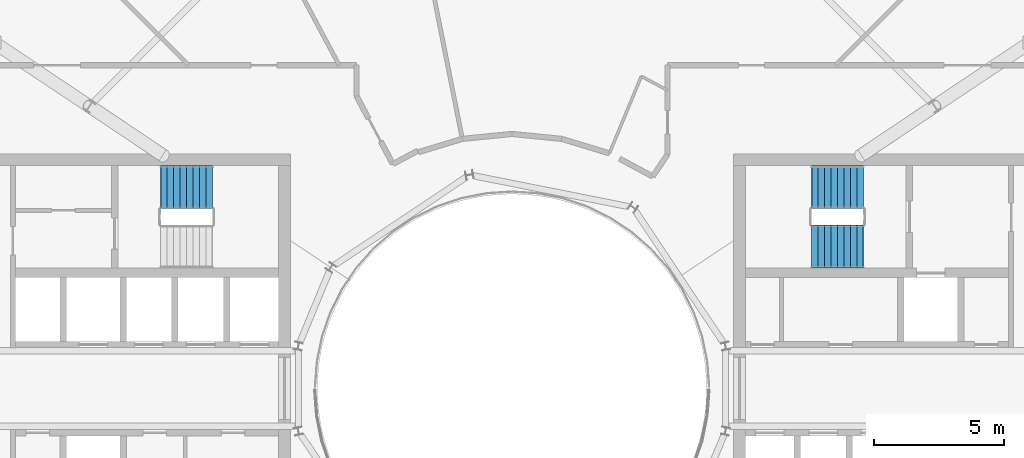
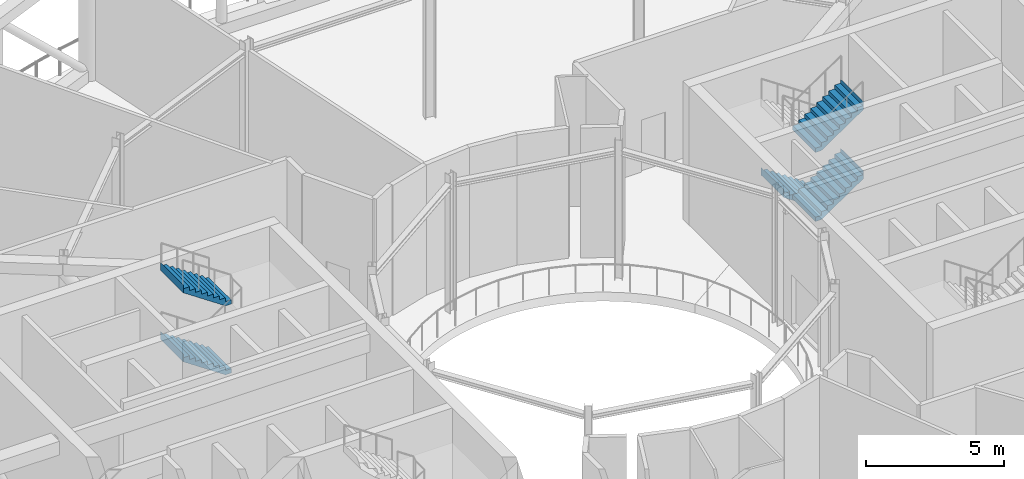
# One storey, part 18 of 24: 5 stair flights, 2 elements without a shape of their own.
"""IFC4 building model written with IfcOpenShell, lengths in metres."""

from ifc_helpers import new_model, si_unit, direction, frame, origin, place, context, subcontext, project, spatial, triangles, material, type_object, element, aggregate, save


model = new_model("IFC4")

# Units and contexts
model_context = context("Model", 3, precision=1e-05, world=origin(), true_north=direction((0.0, 1.0)))
body_context = subcontext(model_context, "Body", "Model", "MODEL_VIEW")
ifc_project = project(units=[si_unit("LENGTHUNIT", "METRE"), si_unit("AREAUNIT", "SQUARE_METRE"), si_unit("VOLUMEUNIT", "CUBIC_METRE"), si_unit("PLANEANGLEUNIT", "RADIAN"), si_unit("MASSUNIT", "GRAM", prefix="KILO")], contexts=[model_context])

# Site, building, storey
site_placement = place(None, origin())
site = spatial("IfcSite", under=ifc_project, at=site_placement, CompositionType="ELEMENT")
building_placement = place(site_placement, origin())
building = spatial("IfcBuilding", under=site, at=building_placement, Name="Maasbend Ring Residences", CompositionType="ELEMENT")
storey_placement = place(building_placement, frame((0.0, 0.0, 221.85009765625)))
storey = spatial("IfcBuildingStorey", under=building, at=storey_placement, Name="L64", CompositionType="ELEMENT", Elevation=221.85009765625)

# Stair, stair flights
ifc_material_1 = material(Name="Concrete C40/50", Category="concrete")
stair_type = type_object("IfcStairType", Name="CORE STAIR 36 RISERS", PredefinedType="HALF_TURN_STAIR", material=ifc_material_1)
stair_1_placement = place(storey_placement, origin())
stair_1 = element("IfcStair", 1, at=stair_1_placement, inside=storey, type_object=stair_type, Name="L64 Exit stair ST-E1", PredefinedType="HALF_TURN_STAIR")
ifc_material_2 = material(Name="Concrete C40/50", Category="concrete")
stair_flight_type = type_object("IfcStairFlightType", Name="CORE STAIR FLIGHT 1650", PredefinedType="STRAIGHT", material=ifc_material_2)
stair_flight_1_placement = place(storey_placement, frame((13.550048828125, 7.77490234375, 0.0), z_axis=(0.0, 0.0, 1.0), x_axis=(-1.0, 0.0, 0.0)))
stair_flight_1 = element("IfcStairFlight", 2, at=stair_flight_1_placement, type_object=stair_flight_type, Name="ST-E1 flight 1", NumberOfRisers=9, NumberOfTreads=8, PredefinedType="STRAIGHT", RiserHeight=0.169444444, TreadLength=0.25, context=body_context, shape_type="Tessellation", body=[
    triangles([(0.24072265625, 0.824951171875, -0.02001953125), (2.0029296875, 0.824951171875, 1.174560546875), (2.0029296875, 0.824951171875, 1.52490234375), (1.989990234375, 0.824951171875, 1.35546875), (1.75, 0.824951171875, 1.35546875), (1.75, 0.824951171875, 1.18603515625), (1.5, 0.824951171875, 1.18603515625), (1.5, 0.824951171875, 1.0166015625), (1.25, 0.824951171875, 1.0166015625), (1.25, 0.824951171875, 0.84716796875), (1.0, 0.824951171875, 0.84716796875), (1.0, 0.824951171875, 0.677734375), (0.75, 0.824951171875, 0.677734375), (0.75, 0.824951171875, 0.50830078125), (0.5, 0.824951171875, 0.50830078125), (0.5, 0.824951171875, 0.3388671875), (0.25, 0.824951171875, 0.3388671875), (0.25, 0.824951171875, 0.16943359375), (0.0, 0.824951171875, 0.16943359375), (0.0, 0.824951171875, 0.0), (-0.0029296875, 0.824951171875, 0.0), (-0.0029296875, 0.824951171875, -0.02001953125), (0.24072265625, 0.27490234375, -0.02001953125), (2.0029296875, 0.27490234375, 1.174560546875), (2.0029296875, 0.27490234375, 1.52490234375), (1.989990234375, 0.27490234375, 1.35546875), (1.75, 0.27490234375, 1.35546875), (1.75, 0.27490234375, 1.18603515625), (1.5, 0.27490234375, 1.18603515625), (1.5, 0.27490234375, 1.0166015625), (1.25, 0.27490234375, 1.0166015625), (1.25, 0.27490234375, 0.84716796875), (1.0, 0.27490234375, 0.84716796875), (1.0, 0.27490234375, 0.677734375), (0.75, 0.27490234375, 0.677734375), (0.75, 0.27490234375, 0.50830078125), (0.5, 0.27490234375, 0.50830078125), (0.5, 0.27490234375, 0.3388671875), (0.25, 0.27490234375, 0.3388671875), (0.25, 0.27490234375, 0.16943359375), (0.0, 0.27490234375, 0.16943359375), (0.0, 0.27490234375, 0.0), (-0.0029296875, 0.27490234375, 0.0), (-0.0029296875, 0.27490234375, -0.02001953125), (0.24072265625, -0.27490234375, -0.02001953125), (2.0029296875, -0.27490234375, 1.174560546875), (2.0029296875, -0.27490234375, 1.52490234375), (1.989990234375, -0.27490234375, 1.35546875), (1.75, -0.27490234375, 1.35546875), (1.75, -0.27490234375, 1.18603515625), (1.5, -0.27490234375, 1.18603515625), (1.5, -0.27490234375, 1.0166015625), (1.25, -0.27490234375, 1.0166015625), (1.25, -0.27490234375, 0.84716796875), (1.0, -0.27490234375, 0.84716796875), (1.0, -0.27490234375, 0.677734375), (0.75, -0.27490234375, 0.677734375), (0.75, -0.27490234375, 0.50830078125), (0.5, -0.27490234375, 0.50830078125), (0.5, -0.27490234375, 0.3388671875), (0.25, -0.27490234375, 0.3388671875), (0.25, -0.27490234375, 0.16943359375), (0.0, -0.27490234375, 0.16943359375), (0.0, -0.27490234375, 0.0), (-0.0029296875, -0.27490234375, 0.0), (-0.0029296875, -0.27490234375, -0.02001953125), (0.24072265625, -0.824951171875, -0.02001953125), (2.0029296875, -0.824951171875, 1.174560546875), (2.0029296875, -0.824951171875, 1.52490234375), (1.989990234375, -0.824951171875, 1.35546875), (1.75, -0.824951171875, 1.35546875), (1.75, -0.824951171875, 1.18603515625), (1.5, -0.824951171875, 1.18603515625), (1.5, -0.824951171875, 1.0166015625), (1.25, -0.824951171875, 1.0166015625), (1.25, -0.824951171875, 0.84716796875), (1.0, -0.824951171875, 0.84716796875), (1.0, -0.824951171875, 0.677734375), (0.75, -0.824951171875, 0.677734375), (0.75, -0.824951171875, 0.50830078125), (0.5, -0.824951171875, 0.50830078125), (0.5, -0.824951171875, 0.3388671875), (0.25, -0.824951171875, 0.3388671875), (0.25, -0.824951171875, 0.16943359375), (0.0, -0.824951171875, 0.16943359375), (0.0, -0.824951171875, 0.0), (-0.0029296875, -0.824951171875, 0.0), (-0.0029296875, -0.824951171875, -0.02001953125)], [[1, 2, 24], [1, 24, 23], [23, 24, 46], [23, 46, 45], [45, 46, 68], [45, 68, 67], [2, 3, 25], [2, 25, 24], [24, 25, 47], [24, 47, 46], [46, 47, 69], [46, 69, 68], [3, 4, 26], [3, 26, 25], [25, 26, 48], [25, 48, 47], [47, 48, 70], [47, 70, 69], [4, 5, 27], [4, 27, 26], [26, 27, 49], [26, 49, 48], [48, 49, 71], [48, 71, 70], [5, 6, 28], [5, 28, 27], [27, 28, 50], [27, 50, 49], [49, 50, 72], [49, 72, 71], [6, 7, 29], [6, 29, 28], [28, 29, 51], [28, 51, 50], [50, 51, 73], [50, 73, 72], [7, 8, 30], [7, 30, 29], [29, 30, 52], [29, 52, 51], [51, 52, 74], [51, 74, 73], [8, 9, 31], [8, 31, 30], [30, 31, 53], [30, 53, 52], [52, 53, 75], [52, 75, 74], [9, 10, 32], [9, 32, 31], [31, 32, 54], [31, 54, 53], [53, 54, 76], [53, 76, 75], [10, 11, 33], [10, 33, 32], [32, 33, 55], [32, 55, 54], [54, 55, 77], [54, 77, 76], [11, 12, 34], [11, 34, 33], [33, 34, 56], [33, 56, 55], [55, 56, 78], [55, 78, 77], [12, 13, 35], [12, 35, 34], [34, 35, 57], [34, 57, 56], [56, 57, 79], [56, 79, 78], [13, 14, 36], [13, 36, 35], [35, 36, 58], [35, 58, 57], [57, 58, 80], [57, 80, 79], [14, 15, 37], [14, 37, 36], [36, 37, 59], [36, 59, 58], [58, 59, 81], [58, 81, 80], [15, 16, 38], [15, 38, 37], [37, 38, 60], [37, 60, 59], [59, 60, 82], [59, 82, 81], [16, 17, 39], [16, 39, 38], [38, 39, 61], [38, 61, 60], [60, 61, 83], [60, 83, 82], [17, 18, 40], [17, 40, 39], [39, 40, 62], [39, 62, 61], [61, 62, 84], [61, 84, 83], [18, 19, 41], [18, 41, 40], [40, 41, 63], [40, 63, 62], [62, 63, 85], [62, 85, 84], [19, 20, 42], [19, 42, 41], [41, 42, 64], [41, 64, 63], [63, 64, 86], [63, 86, 85], [20, 21, 43], [20, 43, 42], [42, 43, 65], [42, 65, 64], [64, 65, 87], [64, 87, 86], [21, 22, 44], [21, 44, 43], [43, 44, 66], [43, 66, 65], [65, 66, 88], [65, 88, 87], [22, 1, 23], [22, 23, 44], [44, 23, 45], [44, 45, 66], [66, 45, 67], [66, 67, 88], [22, 2, 1], [2, 4, 3], [2, 5, 4], [2, 6, 5], [22, 6, 2], [6, 8, 7], [22, 8, 6], [8, 10, 9], [22, 10, 8], [10, 12, 11], [22, 12, 10], [12, 14, 13], [22, 14, 12], [14, 16, 15], [22, 16, 14], [16, 18, 17], [22, 18, 16], [18, 20, 19], [22, 20, 18], [20, 22, 21], [88, 67, 68], [68, 69, 70], [68, 70, 71], [68, 71, 72], [88, 68, 72], [72, 73, 74], [88, 72, 74], [74, 75, 76], [88, 74, 76], [76, 77, 78], [88, 76, 78], [78, 79, 80], [88, 78, 80], [80, 81, 82], [88, 80, 82], [82, 83, 84], [88, 82, 84], [84, 85, 86], [88, 84, 86], [86, 87, 88]], closed=True),
])
stair_flight_2_placement = place(storey_placement, frame((11.550048828125, 5.47509765625, 1.52490234375), z_axis=(0.0, 0.0, 1.0), x_axis=(1.0, 0.0, 0.0)))
stair_flight_2 = element("IfcStairFlight", 3, at=stair_flight_2_placement, type_object=stair_flight_type, Name="ST-E1 flight 2", NumberOfRisers=9, NumberOfTreads=8, PredefinedType="STRAIGHT", RiserHeight=0.169444444, TreadLength=0.25, context=body_context, shape_type="Tessellation", body=[
    triangles([(0.24072265625, 0.824951171875, -0.02001953125), (2.0029296875, 0.824951171875, 1.174560546875), (2.0029296875, 0.824951171875, 1.52490234375), (1.989990234375, 0.824951171875, 1.35546875), (1.75, 0.824951171875, 1.35546875), (1.75, 0.824951171875, 1.18603515625), (1.5, 0.824951171875, 1.18603515625), (1.5, 0.824951171875, 1.0166015625), (1.25, 0.824951171875, 1.0166015625), (1.25, 0.824951171875, 0.84716796875), (1.0, 0.824951171875, 0.84716796875), (1.0, 0.824951171875, 0.677734375), (0.75, 0.824951171875, 0.677734375), (0.75, 0.824951171875, 0.50830078125), (0.5, 0.824951171875, 0.50830078125), (0.5, 0.824951171875, 0.3388671875), (0.25, 0.824951171875, 0.3388671875), (0.25, 0.824951171875, 0.16943359375), (0.0, 0.824951171875, 0.16943359375), (0.0, 0.824951171875, 0.0), (-0.0029296875, 0.824951171875, 0.0), (-0.0029296875, 0.824951171875, -0.02001953125), (0.24072265625, 0.27490234375, -0.02001953125), (2.0029296875, 0.27490234375, 1.174560546875), (2.0029296875, 0.27490234375, 1.52490234375), (1.989990234375, 0.27490234375, 1.35546875), (1.75, 0.27490234375, 1.35546875), (1.75, 0.27490234375, 1.18603515625), (1.5, 0.27490234375, 1.18603515625), (1.5, 0.27490234375, 1.0166015625), (1.25, 0.27490234375, 1.0166015625), (1.25, 0.27490234375, 0.84716796875), (1.0, 0.27490234375, 0.84716796875), (1.0, 0.27490234375, 0.677734375), (0.75, 0.27490234375, 0.677734375), (0.75, 0.27490234375, 0.50830078125), (0.5, 0.27490234375, 0.50830078125), (0.5, 0.27490234375, 0.3388671875), (0.25, 0.27490234375, 0.3388671875), (0.25, 0.27490234375, 0.16943359375), (0.0, 0.27490234375, 0.16943359375), (0.0, 0.27490234375, 0.0), (-0.0029296875, 0.27490234375, 0.0), (-0.0029296875, 0.27490234375, -0.02001953125), (0.24072265625, -0.27490234375, -0.02001953125), (2.0029296875, -0.27490234375, 1.174560546875), (2.0029296875, -0.27490234375, 1.52490234375), (1.989990234375, -0.27490234375, 1.35546875), (1.75, -0.27490234375, 1.35546875), (1.75, -0.27490234375, 1.18603515625), (1.5, -0.27490234375, 1.18603515625), (1.5, -0.27490234375, 1.0166015625), (1.25, -0.27490234375, 1.0166015625), (1.25, -0.27490234375, 0.84716796875), (1.0, -0.27490234375, 0.84716796875), (1.0, -0.27490234375, 0.677734375), (0.75, -0.27490234375, 0.677734375), (0.75, -0.27490234375, 0.50830078125), (0.5, -0.27490234375, 0.50830078125), (0.5, -0.27490234375, 0.3388671875), (0.25, -0.27490234375, 0.3388671875), (0.25, -0.27490234375, 0.16943359375), (0.0, -0.27490234375, 0.16943359375), (0.0, -0.27490234375, 0.0), (-0.0029296875, -0.27490234375, 0.0), (-0.0029296875, -0.27490234375, -0.02001953125), (0.24072265625, -0.824951171875, -0.02001953125), (2.0029296875, -0.824951171875, 1.174560546875), (2.0029296875, -0.824951171875, 1.52490234375), (1.989990234375, -0.824951171875, 1.35546875), (1.75, -0.824951171875, 1.35546875), (1.75, -0.824951171875, 1.18603515625), (1.5, -0.824951171875, 1.18603515625), (1.5, -0.824951171875, 1.0166015625), (1.25, -0.824951171875, 1.0166015625), (1.25, -0.824951171875, 0.84716796875), (1.0, -0.824951171875, 0.84716796875), (1.0, -0.824951171875, 0.677734375), (0.75, -0.824951171875, 0.677734375), (0.75, -0.824951171875, 0.50830078125), (0.5, -0.824951171875, 0.50830078125), (0.5, -0.824951171875, 0.3388671875), (0.25, -0.824951171875, 0.3388671875), (0.25, -0.824951171875, 0.16943359375), (0.0, -0.824951171875, 0.16943359375), (0.0, -0.824951171875, 0.0), (-0.0029296875, -0.824951171875, 0.0), (-0.0029296875, -0.824951171875, -0.02001953125)], [[1, 2, 24], [1, 24, 23], [23, 24, 46], [23, 46, 45], [45, 46, 68], [45, 68, 67], [2, 3, 25], [2, 25, 24], [24, 25, 47], [24, 47, 46], [46, 47, 69], [46, 69, 68], [3, 4, 26], [3, 26, 25], [25, 26, 48], [25, 48, 47], [47, 48, 70], [47, 70, 69], [4, 5, 27], [4, 27, 26], [26, 27, 49], [26, 49, 48], [48, 49, 71], [48, 71, 70], [5, 6, 28], [5, 28, 27], [27, 28, 50], [27, 50, 49], [49, 50, 72], [49, 72, 71], [6, 7, 29], [6, 29, 28], [28, 29, 51], [28, 51, 50], [50, 51, 73], [50, 73, 72], [7, 8, 30], [7, 30, 29], [29, 30, 52], [29, 52, 51], [51, 52, 74], [51, 74, 73], [8, 9, 31], [8, 31, 30], [30, 31, 53], [30, 53, 52], [52, 53, 75], [52, 75, 74], [9, 10, 32], [9, 32, 31], [31, 32, 54], [31, 54, 53], [53, 54, 76], [53, 76, 75], [10, 11, 33], [10, 33, 32], [32, 33, 55], [32, 55, 54], [54, 55, 77], [54, 77, 76], [11, 12, 34], [11, 34, 33], [33, 34, 56], [33, 56, 55], [55, 56, 78], [55, 78, 77], [12, 13, 35], [12, 35, 34], [34, 35, 57], [34, 57, 56], [56, 57, 79], [56, 79, 78], [13, 14, 36], [13, 36, 35], [35, 36, 58], [35, 58, 57], [57, 58, 80], [57, 80, 79], [14, 15, 37], [14, 37, 36], [36, 37, 59], [36, 59, 58], [58, 59, 81], [58, 81, 80], [15, 16, 38], [15, 38, 37], [37, 38, 60], [37, 60, 59], [59, 60, 82], [59, 82, 81], [16, 17, 39], [16, 39, 38], [38, 39, 61], [38, 61, 60], [60, 61, 83], [60, 83, 82], [17, 18, 40], [17, 40, 39], [39, 40, 62], [39, 62, 61], [61, 62, 84], [61, 84, 83], [18, 19, 41], [18, 41, 40], [40, 41, 63], [40, 63, 62], [62, 63, 85], [62, 85, 84], [19, 20, 42], [19, 42, 41], [41, 42, 64], [41, 64, 63], [63, 64, 86], [63, 86, 85], [20, 21, 43], [20, 43, 42], [42, 43, 65], [42, 65, 64], [64, 65, 87], [64, 87, 86], [21, 22, 44], [21, 44, 43], [43, 44, 66], [43, 66, 65], [65, 66, 88], [65, 88, 87], [22, 1, 23], [22, 23, 44], [44, 23, 45], [44, 45, 66], [66, 45, 67], [66, 67, 88], [22, 2, 1], [2, 4, 3], [2, 5, 4], [2, 6, 5], [22, 6, 2], [6, 8, 7], [22, 8, 6], [8, 10, 9], [22, 10, 8], [10, 12, 11], [22, 12, 10], [12, 14, 13], [22, 14, 12], [14, 16, 15], [22, 16, 14], [16, 18, 17], [22, 18, 16], [18, 20, 19], [22, 20, 18], [20, 22, 21], [88, 67, 68], [68, 69, 70], [68, 70, 71], [68, 71, 72], [88, 68, 72], [72, 73, 74], [88, 72, 74], [74, 75, 76], [88, 74, 76], [76, 77, 78], [88, 76, 78], [78, 79, 80], [88, 78, 80], [80, 81, 82], [88, 80, 82], [82, 83, 84], [88, 82, 84], [84, 85, 86], [88, 84, 86], [86, 87, 88]], closed=True),
])
stair_flight_3_placement = place(storey_placement, frame((11.550048828125, 5.47509765625, 4.574951171875), z_axis=(0.0, 0.0, 1.0), x_axis=(1.0, 0.0, 0.0)))
stair_flight_3 = element("IfcStairFlight", 4, at=stair_flight_3_placement, type_object=stair_flight_type, Name="ST-E1 flight 4", NumberOfRisers=9, NumberOfTreads=8, PredefinedType="STRAIGHT", RiserHeight=0.169444444, TreadLength=0.25, context=body_context, shape_type="Tessellation", body=[
    triangles([(0.24072265625, 0.824951171875, -0.02001953125), (2.0029296875, 0.824951171875, 1.174560546875), (2.0029296875, 0.824951171875, 1.52490234375), (1.989990234375, 0.824951171875, 1.35546875), (1.75, 0.824951171875, 1.35546875), (1.75, 0.824951171875, 1.18603515625), (1.5, 0.824951171875, 1.18603515625), (1.5, 0.824951171875, 1.0166015625), (1.25, 0.824951171875, 1.0166015625), (1.25, 0.824951171875, 0.84716796875), (1.0, 0.824951171875, 0.84716796875), (1.0, 0.824951171875, 0.677734375), (0.75, 0.824951171875, 0.677734375), (0.75, 0.824951171875, 0.50830078125), (0.5, 0.824951171875, 0.50830078125), (0.5, 0.824951171875, 0.3388671875), (0.25, 0.824951171875, 0.3388671875), (0.25, 0.824951171875, 0.16943359375), (0.0, 0.824951171875, 0.16943359375), (0.0, 0.824951171875, 0.0), (-0.0029296875, 0.824951171875, 0.0), (-0.0029296875, 0.824951171875, -0.02001953125), (0.24072265625, 0.27490234375, -0.02001953125), (2.0029296875, 0.27490234375, 1.174560546875), (2.0029296875, 0.27490234375, 1.52490234375), (1.989990234375, 0.27490234375, 1.35546875), (1.75, 0.27490234375, 1.35546875), (1.75, 0.27490234375, 1.18603515625), (1.5, 0.27490234375, 1.18603515625), (1.5, 0.27490234375, 1.0166015625), (1.25, 0.27490234375, 1.0166015625), (1.25, 0.27490234375, 0.84716796875), (1.0, 0.27490234375, 0.84716796875), (1.0, 0.27490234375, 0.677734375), (0.75, 0.27490234375, 0.677734375), (0.75, 0.27490234375, 0.50830078125), (0.5, 0.27490234375, 0.50830078125), (0.5, 0.27490234375, 0.3388671875), (0.25, 0.27490234375, 0.3388671875), (0.25, 0.27490234375, 0.16943359375), (0.0, 0.27490234375, 0.16943359375), (0.0, 0.27490234375, 0.0), (-0.0029296875, 0.27490234375, 0.0), (-0.0029296875, 0.27490234375, -0.02001953125), (0.24072265625, -0.27490234375, -0.02001953125), (2.0029296875, -0.27490234375, 1.174560546875), (2.0029296875, -0.27490234375, 1.52490234375), (1.989990234375, -0.27490234375, 1.35546875), (1.75, -0.27490234375, 1.35546875), (1.75, -0.27490234375, 1.18603515625), (1.5, -0.27490234375, 1.18603515625), (1.5, -0.27490234375, 1.0166015625), (1.25, -0.27490234375, 1.0166015625), (1.25, -0.27490234375, 0.84716796875), (1.0, -0.27490234375, 0.84716796875), (1.0, -0.27490234375, 0.677734375), (0.75, -0.27490234375, 0.677734375), (0.75, -0.27490234375, 0.50830078125), (0.5, -0.27490234375, 0.50830078125), (0.5, -0.27490234375, 0.3388671875), (0.25, -0.27490234375, 0.3388671875), (0.25, -0.27490234375, 0.16943359375), (0.0, -0.27490234375, 0.16943359375), (0.0, -0.27490234375, 0.0), (-0.0029296875, -0.27490234375, 0.0), (-0.0029296875, -0.27490234375, -0.02001953125), (0.24072265625, -0.824951171875, -0.02001953125), (2.0029296875, -0.824951171875, 1.174560546875), (2.0029296875, -0.824951171875, 1.52490234375), (1.989990234375, -0.824951171875, 1.35546875), (1.75, -0.824951171875, 1.35546875), (1.75, -0.824951171875, 1.18603515625), (1.5, -0.824951171875, 1.18603515625), (1.5, -0.824951171875, 1.0166015625), (1.25, -0.824951171875, 1.0166015625), (1.25, -0.824951171875, 0.84716796875), (1.0, -0.824951171875, 0.84716796875), (1.0, -0.824951171875, 0.677734375), (0.75, -0.824951171875, 0.677734375), (0.75, -0.824951171875, 0.50830078125), (0.5, -0.824951171875, 0.50830078125), (0.5, -0.824951171875, 0.3388671875), (0.25, -0.824951171875, 0.3388671875), (0.25, -0.824951171875, 0.16943359375), (0.0, -0.824951171875, 0.16943359375), (0.0, -0.824951171875, 0.0), (-0.0029296875, -0.824951171875, 0.0), (-0.0029296875, -0.824951171875, -0.02001953125)], [[1, 2, 24], [1, 24, 23], [23, 24, 46], [23, 46, 45], [45, 46, 68], [45, 68, 67], [2, 3, 25], [2, 25, 24], [24, 25, 47], [24, 47, 46], [46, 47, 69], [46, 69, 68], [3, 4, 26], [3, 26, 25], [25, 26, 48], [25, 48, 47], [47, 48, 70], [47, 70, 69], [4, 5, 27], [4, 27, 26], [26, 27, 49], [26, 49, 48], [48, 49, 71], [48, 71, 70], [5, 6, 28], [5, 28, 27], [27, 28, 50], [27, 50, 49], [49, 50, 72], [49, 72, 71], [6, 7, 29], [6, 29, 28], [28, 29, 51], [28, 51, 50], [50, 51, 73], [50, 73, 72], [7, 8, 30], [7, 30, 29], [29, 30, 52], [29, 52, 51], [51, 52, 74], [51, 74, 73], [8, 9, 31], [8, 31, 30], [30, 31, 53], [30, 53, 52], [52, 53, 75], [52, 75, 74], [9, 10, 32], [9, 32, 31], [31, 32, 54], [31, 54, 53], [53, 54, 76], [53, 76, 75], [10, 11, 33], [10, 33, 32], [32, 33, 55], [32, 55, 54], [54, 55, 77], [54, 77, 76], [11, 12, 34], [11, 34, 33], [33, 34, 56], [33, 56, 55], [55, 56, 78], [55, 78, 77], [12, 13, 35], [12, 35, 34], [34, 35, 57], [34, 57, 56], [56, 57, 79], [56, 79, 78], [13, 14, 36], [13, 36, 35], [35, 36, 58], [35, 58, 57], [57, 58, 80], [57, 80, 79], [14, 15, 37], [14, 37, 36], [36, 37, 59], [36, 59, 58], [58, 59, 81], [58, 81, 80], [15, 16, 38], [15, 38, 37], [37, 38, 60], [37, 60, 59], [59, 60, 82], [59, 82, 81], [16, 17, 39], [16, 39, 38], [38, 39, 61], [38, 61, 60], [60, 61, 83], [60, 83, 82], [17, 18, 40], [17, 40, 39], [39, 40, 62], [39, 62, 61], [61, 62, 84], [61, 84, 83], [18, 19, 41], [18, 41, 40], [40, 41, 63], [40, 63, 62], [62, 63, 85], [62, 85, 84], [19, 20, 42], [19, 42, 41], [41, 42, 64], [41, 64, 63], [63, 64, 86], [63, 86, 85], [20, 21, 43], [20, 43, 42], [42, 43, 65], [42, 65, 64], [64, 65, 87], [64, 87, 86], [21, 22, 44], [21, 44, 43], [43, 44, 66], [43, 66, 65], [65, 66, 88], [65, 88, 87], [22, 1, 23], [22, 23, 44], [44, 23, 45], [44, 45, 66], [66, 45, 67], [66, 67, 88], [22, 2, 1], [2, 4, 3], [2, 5, 4], [2, 6, 5], [22, 6, 2], [6, 8, 7], [22, 8, 6], [8, 10, 9], [22, 10, 8], [10, 12, 11], [22, 12, 10], [12, 14, 13], [22, 14, 12], [14, 16, 15], [22, 16, 14], [16, 18, 17], [22, 18, 16], [18, 20, 19], [22, 20, 18], [20, 22, 21], [88, 67, 68], [68, 69, 70], [68, 70, 71], [68, 71, 72], [88, 68, 72], [72, 73, 74], [88, 72, 74], [74, 75, 76], [88, 74, 76], [76, 77, 78], [88, 76, 78], [78, 79, 80], [88, 78, 80], [80, 81, 82], [88, 80, 82], [82, 83, 84], [88, 82, 84], [84, 85, 86], [88, 84, 86], [86, 87, 88]], closed=True),
])
aggregate(stair_1, [stair_flight_1, stair_flight_2, stair_flight_3])

stair_2_placement = place(storey_placement, origin())
stair_2 = element("IfcStair", 5, at=stair_2_placement, inside=storey, type_object=stair_type, Name="L64 Exit stair ST-W2", PredefinedType="HALF_TURN_STAIR")
stair_flight_4_placement = place(storey_placement, frame((-11.550048828125, 7.77490234375, 1.52490234375), z_axis=(0.0, 0.0, 1.0), x_axis=(-1.0, 0.0, 0.0)))
stair_flight_4 = element("IfcStairFlight", 6, at=stair_flight_4_placement, type_object=stair_flight_type, Name="ST-W2 flight 2", NumberOfRisers=9, NumberOfTreads=8, PredefinedType="STRAIGHT", RiserHeight=0.169444444, TreadLength=0.25, context=body_context, shape_type="Tessellation", body=[
    triangles([(0.24072265625, 0.824951171875, -0.02001953125), (2.0029296875, 0.824951171875, 1.174560546875), (2.0029296875, 0.824951171875, 1.52490234375), (1.989990234375, 0.824951171875, 1.35546875), (1.75, 0.824951171875, 1.35546875), (1.75, 0.824951171875, 1.18603515625), (1.5, 0.824951171875, 1.18603515625), (1.5, 0.824951171875, 1.0166015625), (1.25, 0.824951171875, 1.0166015625), (1.25, 0.824951171875, 0.84716796875), (1.0, 0.824951171875, 0.84716796875), (1.0, 0.824951171875, 0.677734375), (0.75, 0.824951171875, 0.677734375), (0.75, 0.824951171875, 0.50830078125), (0.5, 0.824951171875, 0.50830078125), (0.5, 0.824951171875, 0.3388671875), (0.25, 0.824951171875, 0.3388671875), (0.25, 0.824951171875, 0.16943359375), (0.0, 0.824951171875, 0.16943359375), (0.0, 0.824951171875, 0.0), (-0.0029296875, 0.824951171875, 0.0), (-0.0029296875, 0.824951171875, -0.02001953125), (0.24072265625, 0.27490234375, -0.02001953125), (2.0029296875, 0.27490234375, 1.174560546875), (2.0029296875, 0.27490234375, 1.52490234375), (1.989990234375, 0.27490234375, 1.35546875), (1.75, 0.27490234375, 1.35546875), (1.75, 0.27490234375, 1.18603515625), (1.5, 0.27490234375, 1.18603515625), (1.5, 0.27490234375, 1.0166015625), (1.25, 0.27490234375, 1.0166015625), (1.25, 0.27490234375, 0.84716796875), (1.0, 0.27490234375, 0.84716796875), (1.0, 0.27490234375, 0.677734375), (0.75, 0.27490234375, 0.677734375), (0.75, 0.27490234375, 0.50830078125), (0.5, 0.27490234375, 0.50830078125), (0.5, 0.27490234375, 0.3388671875), (0.25, 0.27490234375, 0.3388671875), (0.25, 0.27490234375, 0.16943359375), (0.0, 0.27490234375, 0.16943359375), (0.0, 0.27490234375, 0.0), (-0.0029296875, 0.27490234375, 0.0), (-0.0029296875, 0.27490234375, -0.02001953125), (0.24072265625, -0.27490234375, -0.02001953125), (2.0029296875, -0.27490234375, 1.174560546875), (2.0029296875, -0.27490234375, 1.52490234375), (1.989990234375, -0.27490234375, 1.35546875), (1.75, -0.27490234375, 1.35546875), (1.75, -0.27490234375, 1.18603515625), (1.5, -0.27490234375, 1.18603515625), (1.5, -0.27490234375, 1.0166015625), (1.25, -0.27490234375, 1.0166015625), (1.25, -0.27490234375, 0.84716796875), (1.0, -0.27490234375, 0.84716796875), (1.0, -0.27490234375, 0.677734375), (0.75, -0.27490234375, 0.677734375), (0.75, -0.27490234375, 0.50830078125), (0.5, -0.27490234375, 0.50830078125), (0.5, -0.27490234375, 0.3388671875), (0.25, -0.27490234375, 0.3388671875), (0.25, -0.27490234375, 0.16943359375), (0.0, -0.27490234375, 0.16943359375), (0.0, -0.27490234375, 0.0), (-0.0029296875, -0.27490234375, 0.0), (-0.0029296875, -0.27490234375, -0.02001953125), (0.24072265625, -0.824951171875, -0.02001953125), (2.0029296875, -0.824951171875, 1.174560546875), (2.0029296875, -0.824951171875, 1.52490234375), (1.989990234375, -0.824951171875, 1.35546875), (1.75, -0.824951171875, 1.35546875), (1.75, -0.824951171875, 1.18603515625), (1.5, -0.824951171875, 1.18603515625), (1.5, -0.824951171875, 1.0166015625), (1.25, -0.824951171875, 1.0166015625), (1.25, -0.824951171875, 0.84716796875), (1.0, -0.824951171875, 0.84716796875), (1.0, -0.824951171875, 0.677734375), (0.75, -0.824951171875, 0.677734375), (0.75, -0.824951171875, 0.50830078125), (0.5, -0.824951171875, 0.50830078125), (0.5, -0.824951171875, 0.3388671875), (0.25, -0.824951171875, 0.3388671875), (0.25, -0.824951171875, 0.16943359375), (0.0, -0.824951171875, 0.16943359375), (0.0, -0.824951171875, 0.0), (-0.0029296875, -0.824951171875, 0.0), (-0.0029296875, -0.824951171875, -0.02001953125)], [[1, 2, 24], [1, 24, 23], [23, 24, 46], [23, 46, 45], [45, 46, 68], [45, 68, 67], [2, 3, 25], [2, 25, 24], [24, 25, 47], [24, 47, 46], [46, 47, 69], [46, 69, 68], [3, 4, 26], [3, 26, 25], [25, 26, 48], [25, 48, 47], [47, 48, 70], [47, 70, 69], [4, 5, 27], [4, 27, 26], [26, 27, 49], [26, 49, 48], [48, 49, 71], [48, 71, 70], [5, 6, 28], [5, 28, 27], [27, 28, 50], [27, 50, 49], [49, 50, 72], [49, 72, 71], [6, 7, 29], [6, 29, 28], [28, 29, 51], [28, 51, 50], [50, 51, 73], [50, 73, 72], [7, 8, 30], [7, 30, 29], [29, 30, 52], [29, 52, 51], [51, 52, 74], [51, 74, 73], [8, 9, 31], [8, 31, 30], [30, 31, 53], [30, 53, 52], [52, 53, 75], [52, 75, 74], [9, 10, 32], [9, 32, 31], [31, 32, 54], [31, 54, 53], [53, 54, 76], [53, 76, 75], [10, 11, 33], [10, 33, 32], [32, 33, 55], [32, 55, 54], [54, 55, 77], [54, 77, 76], [11, 12, 34], [11, 34, 33], [33, 34, 56], [33, 56, 55], [55, 56, 78], [55, 78, 77], [12, 13, 35], [12, 35, 34], [34, 35, 57], [34, 57, 56], [56, 57, 79], [56, 79, 78], [13, 14, 36], [13, 36, 35], [35, 36, 58], [35, 58, 57], [57, 58, 80], [57, 80, 79], [14, 15, 37], [14, 37, 36], [36, 37, 59], [36, 59, 58], [58, 59, 81], [58, 81, 80], [15, 16, 38], [15, 38, 37], [37, 38, 60], [37, 60, 59], [59, 60, 82], [59, 82, 81], [16, 17, 39], [16, 39, 38], [38, 39, 61], [38, 61, 60], [60, 61, 83], [60, 83, 82], [17, 18, 40], [17, 40, 39], [39, 40, 62], [39, 62, 61], [61, 62, 84], [61, 84, 83], [18, 19, 41], [18, 41, 40], [40, 41, 63], [40, 63, 62], [62, 63, 85], [62, 85, 84], [19, 20, 42], [19, 42, 41], [41, 42, 64], [41, 64, 63], [63, 64, 86], [63, 86, 85], [20, 21, 43], [20, 43, 42], [42, 43, 65], [42, 65, 64], [64, 65, 87], [64, 87, 86], [21, 22, 44], [21, 44, 43], [43, 44, 66], [43, 66, 65], [65, 66, 88], [65, 88, 87], [22, 1, 23], [22, 23, 44], [44, 23, 45], [44, 45, 66], [66, 45, 67], [66, 67, 88], [22, 2, 1], [2, 4, 3], [2, 5, 4], [2, 6, 5], [22, 6, 2], [6, 8, 7], [22, 8, 6], [8, 10, 9], [22, 10, 8], [10, 12, 11], [22, 12, 10], [12, 14, 13], [22, 14, 12], [14, 16, 15], [22, 16, 14], [16, 18, 17], [22, 18, 16], [18, 20, 19], [22, 20, 18], [20, 22, 21], [88, 67, 68], [68, 69, 70], [68, 70, 71], [68, 71, 72], [88, 68, 72], [72, 73, 74], [88, 72, 74], [74, 75, 76], [88, 74, 76], [76, 77, 78], [88, 76, 78], [78, 79, 80], [88, 78, 80], [80, 81, 82], [88, 80, 82], [82, 83, 84], [88, 82, 84], [84, 85, 86], [88, 84, 86], [86, 87, 88]], closed=True),
])
stair_flight_5_placement = place(storey_placement, frame((-11.550048828125, 7.77490234375, 4.574951171875), z_axis=(0.0, 0.0, 1.0), x_axis=(-1.0, 0.0, 0.0)))
stair_flight_5 = element("IfcStairFlight", 7, at=stair_flight_5_placement, type_object=stair_flight_type, Name="ST-W2 flight 4", NumberOfRisers=9, NumberOfTreads=8, PredefinedType="STRAIGHT", RiserHeight=0.169444444, TreadLength=0.25, context=body_context, shape_type="Tessellation", body=[
    triangles([(0.24072265625, 0.824951171875, -0.02001953125), (2.0029296875, 0.824951171875, 1.174560546875), (2.0029296875, 0.824951171875, 1.52490234375), (1.989990234375, 0.824951171875, 1.35546875), (1.75, 0.824951171875, 1.35546875), (1.75, 0.824951171875, 1.18603515625), (1.5, 0.824951171875, 1.18603515625), (1.5, 0.824951171875, 1.0166015625), (1.25, 0.824951171875, 1.0166015625), (1.25, 0.824951171875, 0.84716796875), (1.0, 0.824951171875, 0.84716796875), (1.0, 0.824951171875, 0.677734375), (0.75, 0.824951171875, 0.677734375), (0.75, 0.824951171875, 0.50830078125), (0.5, 0.824951171875, 0.50830078125), (0.5, 0.824951171875, 0.3388671875), (0.25, 0.824951171875, 0.3388671875), (0.25, 0.824951171875, 0.16943359375), (0.0, 0.824951171875, 0.16943359375), (0.0, 0.824951171875, 0.0), (-0.0029296875, 0.824951171875, 0.0), (-0.0029296875, 0.824951171875, -0.02001953125), (0.24072265625, 0.27490234375, -0.02001953125), (2.0029296875, 0.27490234375, 1.174560546875), (2.0029296875, 0.27490234375, 1.52490234375), (1.989990234375, 0.27490234375, 1.35546875), (1.75, 0.27490234375, 1.35546875), (1.75, 0.27490234375, 1.18603515625), (1.5, 0.27490234375, 1.18603515625), (1.5, 0.27490234375, 1.0166015625), (1.25, 0.27490234375, 1.0166015625), (1.25, 0.27490234375, 0.84716796875), (1.0, 0.27490234375, 0.84716796875), (1.0, 0.27490234375, 0.677734375), (0.75, 0.27490234375, 0.677734375), (0.75, 0.27490234375, 0.50830078125), (0.5, 0.27490234375, 0.50830078125), (0.5, 0.27490234375, 0.3388671875), (0.25, 0.27490234375, 0.3388671875), (0.25, 0.27490234375, 0.16943359375), (0.0, 0.27490234375, 0.16943359375), (0.0, 0.27490234375, 0.0), (-0.0029296875, 0.27490234375, 0.0), (-0.0029296875, 0.27490234375, -0.02001953125), (0.24072265625, -0.27490234375, -0.02001953125), (2.0029296875, -0.27490234375, 1.174560546875), (2.0029296875, -0.27490234375, 1.52490234375), (1.989990234375, -0.27490234375, 1.35546875), (1.75, -0.27490234375, 1.35546875), (1.75, -0.27490234375, 1.18603515625), (1.5, -0.27490234375, 1.18603515625), (1.5, -0.27490234375, 1.0166015625), (1.25, -0.27490234375, 1.0166015625), (1.25, -0.27490234375, 0.84716796875), (1.0, -0.27490234375, 0.84716796875), (1.0, -0.27490234375, 0.677734375), (0.75, -0.27490234375, 0.677734375), (0.75, -0.27490234375, 0.50830078125), (0.5, -0.27490234375, 0.50830078125), (0.5, -0.27490234375, 0.3388671875), (0.25, -0.27490234375, 0.3388671875), (0.25, -0.27490234375, 0.16943359375), (0.0, -0.27490234375, 0.16943359375), (0.0, -0.27490234375, 0.0), (-0.0029296875, -0.27490234375, 0.0), (-0.0029296875, -0.27490234375, -0.02001953125), (0.24072265625, -0.824951171875, -0.02001953125), (2.0029296875, -0.824951171875, 1.174560546875), (2.0029296875, -0.824951171875, 1.52490234375), (1.989990234375, -0.824951171875, 1.35546875), (1.75, -0.824951171875, 1.35546875), (1.75, -0.824951171875, 1.18603515625), (1.5, -0.824951171875, 1.18603515625), (1.5, -0.824951171875, 1.0166015625), (1.25, -0.824951171875, 1.0166015625), (1.25, -0.824951171875, 0.84716796875), (1.0, -0.824951171875, 0.84716796875), (1.0, -0.824951171875, 0.677734375), (0.75, -0.824951171875, 0.677734375), (0.75, -0.824951171875, 0.50830078125), (0.5, -0.824951171875, 0.50830078125), (0.5, -0.824951171875, 0.3388671875), (0.25, -0.824951171875, 0.3388671875), (0.25, -0.824951171875, 0.16943359375), (0.0, -0.824951171875, 0.16943359375), (0.0, -0.824951171875, 0.0), (-0.0029296875, -0.824951171875, 0.0), (-0.0029296875, -0.824951171875, -0.02001953125)], [[1, 2, 24], [1, 24, 23], [23, 24, 46], [23, 46, 45], [45, 46, 68], [45, 68, 67], [2, 3, 25], [2, 25, 24], [24, 25, 47], [24, 47, 46], [46, 47, 69], [46, 69, 68], [3, 4, 26], [3, 26, 25], [25, 26, 48], [25, 48, 47], [47, 48, 70], [47, 70, 69], [4, 5, 27], [4, 27, 26], [26, 27, 49], [26, 49, 48], [48, 49, 71], [48, 71, 70], [5, 6, 28], [5, 28, 27], [27, 28, 50], [27, 50, 49], [49, 50, 72], [49, 72, 71], [6, 7, 29], [6, 29, 28], [28, 29, 51], [28, 51, 50], [50, 51, 73], [50, 73, 72], [7, 8, 30], [7, 30, 29], [29, 30, 52], [29, 52, 51], [51, 52, 74], [51, 74, 73], [8, 9, 31], [8, 31, 30], [30, 31, 53], [30, 53, 52], [52, 53, 75], [52, 75, 74], [9, 10, 32], [9, 32, 31], [31, 32, 54], [31, 54, 53], [53, 54, 76], [53, 76, 75], [10, 11, 33], [10, 33, 32], [32, 33, 55], [32, 55, 54], [54, 55, 77], [54, 77, 76], [11, 12, 34], [11, 34, 33], [33, 34, 56], [33, 56, 55], [55, 56, 78], [55, 78, 77], [12, 13, 35], [12, 35, 34], [34, 35, 57], [34, 57, 56], [56, 57, 79], [56, 79, 78], [13, 14, 36], [13, 36, 35], [35, 36, 58], [35, 58, 57], [57, 58, 80], [57, 80, 79], [14, 15, 37], [14, 37, 36], [36, 37, 59], [36, 59, 58], [58, 59, 81], [58, 81, 80], [15, 16, 38], [15, 38, 37], [37, 38, 60], [37, 60, 59], [59, 60, 82], [59, 82, 81], [16, 17, 39], [16, 39, 38], [38, 39, 61], [38, 61, 60], [60, 61, 83], [60, 83, 82], [17, 18, 40], [17, 40, 39], [39, 40, 62], [39, 62, 61], [61, 62, 84], [61, 84, 83], [18, 19, 41], [18, 41, 40], [40, 41, 63], [40, 63, 62], [62, 63, 85], [62, 85, 84], [19, 20, 42], [19, 42, 41], [41, 42, 64], [41, 64, 63], [63, 64, 86], [63, 86, 85], [20, 21, 43], [20, 43, 42], [42, 43, 65], [42, 65, 64], [64, 65, 87], [64, 87, 86], [21, 22, 44], [21, 44, 43], [43, 44, 66], [43, 66, 65], [65, 66, 88], [65, 88, 87], [22, 1, 23], [22, 23, 44], [44, 23, 45], [44, 45, 66], [66, 45, 67], [66, 67, 88], [22, 2, 1], [2, 4, 3], [2, 5, 4], [2, 6, 5], [22, 6, 2], [6, 8, 7], [22, 8, 6], [8, 10, 9], [22, 10, 8], [10, 12, 11], [22, 12, 10], [12, 14, 13], [22, 14, 12], [14, 16, 15], [22, 16, 14], [16, 18, 17], [22, 18, 16], [18, 20, 19], [22, 20, 18], [20, 22, 21], [88, 67, 68], [68, 69, 70], [68, 70, 71], [68, 71, 72], [88, 68, 72], [72, 73, 74], [88, 72, 74], [74, 75, 76], [88, 74, 76], [76, 77, 78], [88, 76, 78], [78, 79, 80], [88, 78, 80], [80, 81, 82], [88, 80, 82], [82, 83, 84], [88, 82, 84], [84, 85, 86], [88, 84, 86], [86, 87, 88]], closed=True),
])
aggregate(stair_2, [stair_flight_4, stair_flight_5])

save(model, "model.ifc")
